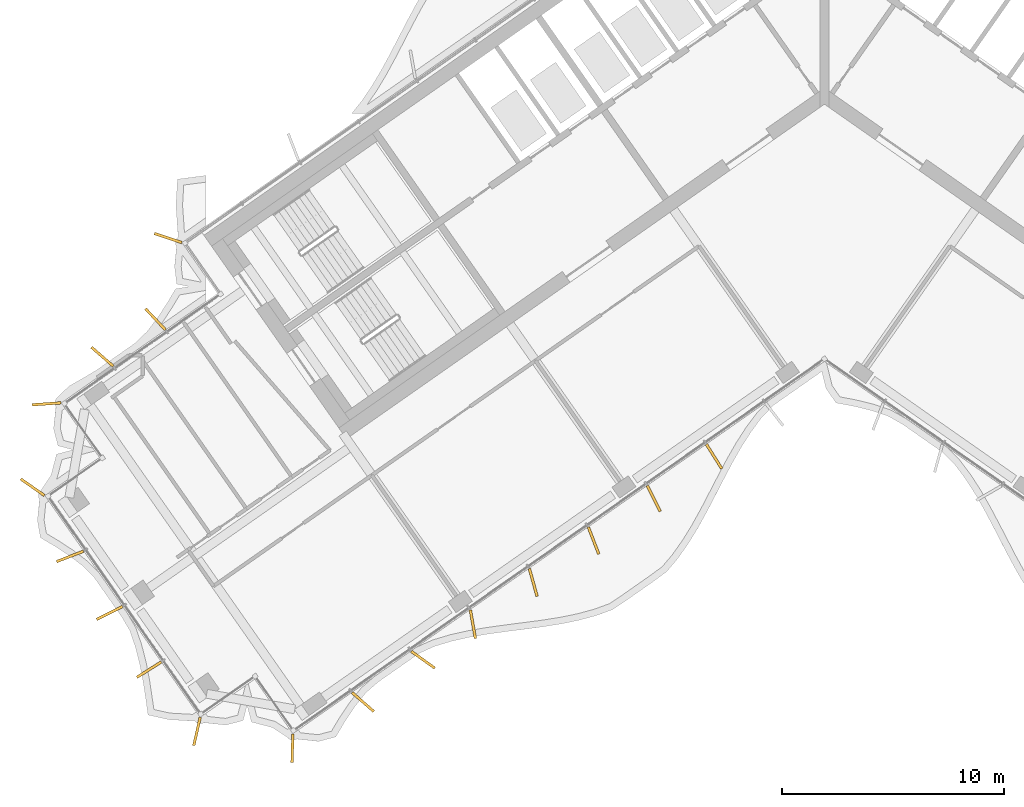
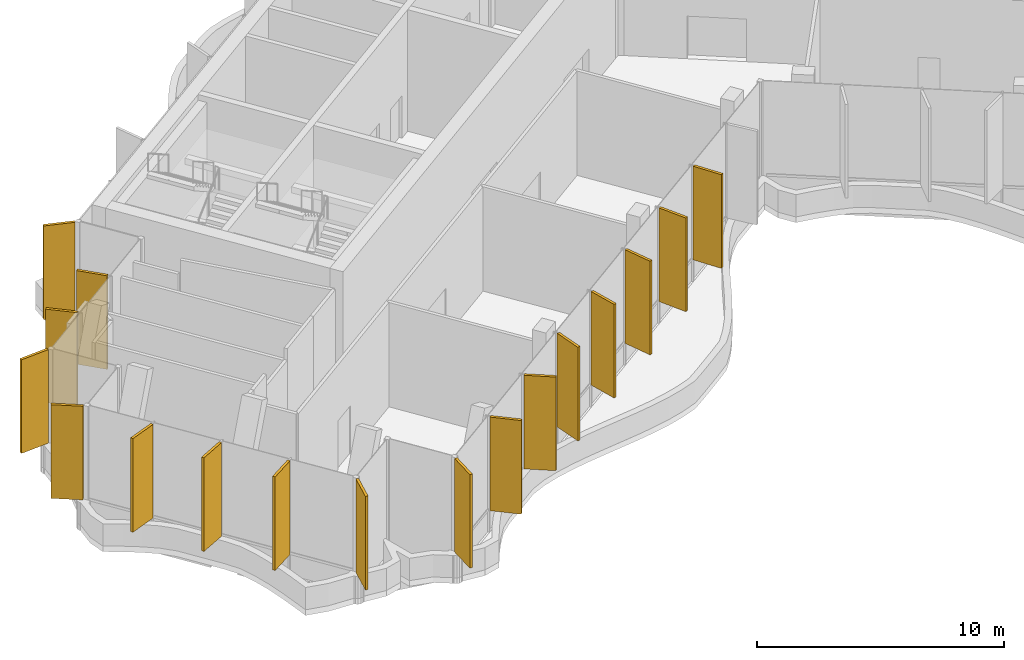
# One storey, part 17 of 22: 17 shading devices.
"""IFC4 building model written with IfcOpenShell, lengths in metres."""

from ifc_helpers import new_model, si_unit, direction, frame, origin, origin_2d, place, context, subcontext, project, spatial, rectangle, extrude, material, layer, layer_set, type_object, element, save


model = new_model("IFC4")

# Units and contexts
model_context = context("Model", 3, precision=1e-05, world=origin(), true_north=direction((0.0, 1.0)))
body_context = subcontext(model_context, "Body", "Model", "MODEL_VIEW")
ifc_project = project(units=[si_unit("LENGTHUNIT", "METRE"), si_unit("AREAUNIT", "SQUARE_METRE"), si_unit("VOLUMEUNIT", "CUBIC_METRE"), si_unit("PLANEANGLEUNIT", "RADIAN"), si_unit("MASSUNIT", "GRAM", prefix="KILO")], contexts=[model_context])

# Site, building, storey
site_placement = place(None, origin())
site = spatial("IfcSite", under=ifc_project, at=site_placement, CompositionType="ELEMENT")
building_placement = place(site_placement, origin())
building = spatial("IfcBuilding", under=site, at=building_placement, Name="Tel Ilan Convention Tower", CompositionType="ELEMENT")
storey_placement = place(building_placement, frame((0.0, 0.0, 219.39990234375)))
storey = spatial("IfcBuildingStorey", under=building, at=storey_placement, Name="L51", CompositionType="ELEMENT", Elevation=219.39990234375)

# Shading devices
ifc_material = material(Name="Aluminium, bronze anodised", Category="aluminium")
ifc_layer = layer(ifc_material, 0.1201171875)
ifc_layer_set = layer_set([ifc_layer], Name="FIN BRONZE 1300x120")
shading_device_type = type_object("IfcShadingDeviceType", Name="FIN BRONZE 1300x120", PredefinedType="USERDEFINED", material=ifc_layer_set)
for number, where, z_axis, x_axis, name in (
    (1, (-29.583984375, -7.253173828125, 1.10009765625), (0.0, 0.0, 1.0), (-0.949242643575, 0.314544756146, 0.0), "FIN"),
    (2, (-30.15185546875, -10.91748046875, 1.10009765625), (0.0, 0.0, 1.0), (-0.686241637865, 0.727373641577, 0.0), "FIN"),
    (3, (-32.546875, -12.602294921875, 1.10009765625), (0.0, 0.0, 1.0), (-0.753435896329, 0.657521368568, 0.0), "FIN"),
    (4, (-35.059814453125, -14.72705078125, 1.10009765625), (0.0, 0.0, 1.0), (-0.997697449973, -0.067821812994, 0.0), "FIN"),
    (5, (-35.691162109375, -18.486572265625, 1.10009765625), (0.0, 0.0, 1.0), (-0.819152044289, 0.573576436351, 0.0), "FIN"),
    (6, (-34.002685546875, -21.60400390625, 1.10009765625), (0.0, 0.0, 1.0), (-0.932883704733, -0.360177724803, 0.0), "FIN"),
    (7, (-32.222900390625, -24.15673828125, 1.10009765625), (0.0, 0.0, 1.0), (-0.893632640321, -0.448799180206, 0.0), "FIN"),
    (8, (-30.43798828125, -26.706787109375, 1.10009765625), (0.0, 0.0, 1.0), (-0.845986425922, -0.533204432798, 0.0), "FIN"),
    (9, (-28.28076171875, -29.49365234375, 1.10009765625), (0.0, 0.0, 1.0), (-0.221170268371, -0.975235208752, 0.0), "FIN"),
    (10, (-23.978759765625, -30.251708984375, 1.10009765625), (0.0, 0.0, 1.0), (-0.029084718749, -0.999576950082, 0.0), "FIN"),
    (11, (-20.798583984375, -28.168701171875, 1.10009765625), (0.0, 0.0, 1.0), (0.753435896329, -0.657521368568, 0.0), "FIN"),
    (12, (-18.09423828125, -26.260009765625, 1.10009765625), (0.0, 0.0, 1.0), (0.813552070258, -0.581492071294, 0.0), "FIN"),
    (13, (-15.84521484375, -24.66259765625, 1.10009765625), (0.0, 0.0, 1.0), (0.173648177667, -0.984807753012, 0.0), "FIN"),
    (14, (-13.124755859375, -22.7802734375, 1.10009765625), (0.0, 0.0, 1.0), (0.268172612768, -0.963370878614, 0.0), "FIN"),
    (15, (-10.406005859375, -20.891845703125, 1.10009765625), (0.0, 0.0, 1.0), (0.360177724803, -0.932883704733, 0.0), "FIN"),
    (16, (-7.689697265625, -18.99755859375, 1.10009765625), (0.0, 0.0, 1.0), (0.448799180206, -0.893632640321, 0.0), "FIN"),
    (17, (-4.97607421875, -17.097900390625, 1.10009765625), (0.0, 0.0, 1.0), (0.533204432798, -0.845986425922, 0.0), "FIN"),
):
    element("IfcShadingDevice", number, at=place(storey_placement, frame(where, z_axis=z_axis, x_axis=x_axis)), inside=storey, type_object=shading_device_type, Name=name, ObjectType="FIN", PredefinedType="USERDEFINED", context=body_context, shape_type="SweptSolid", body=[
        extrude(rectangle(XDim=1.300048828125, YDim=0.1201171875, at=origin_2d()), origin(), (0.0, 0.0, 1.0), 4.6201171875),
    ])

save(model, "model.ifc")
